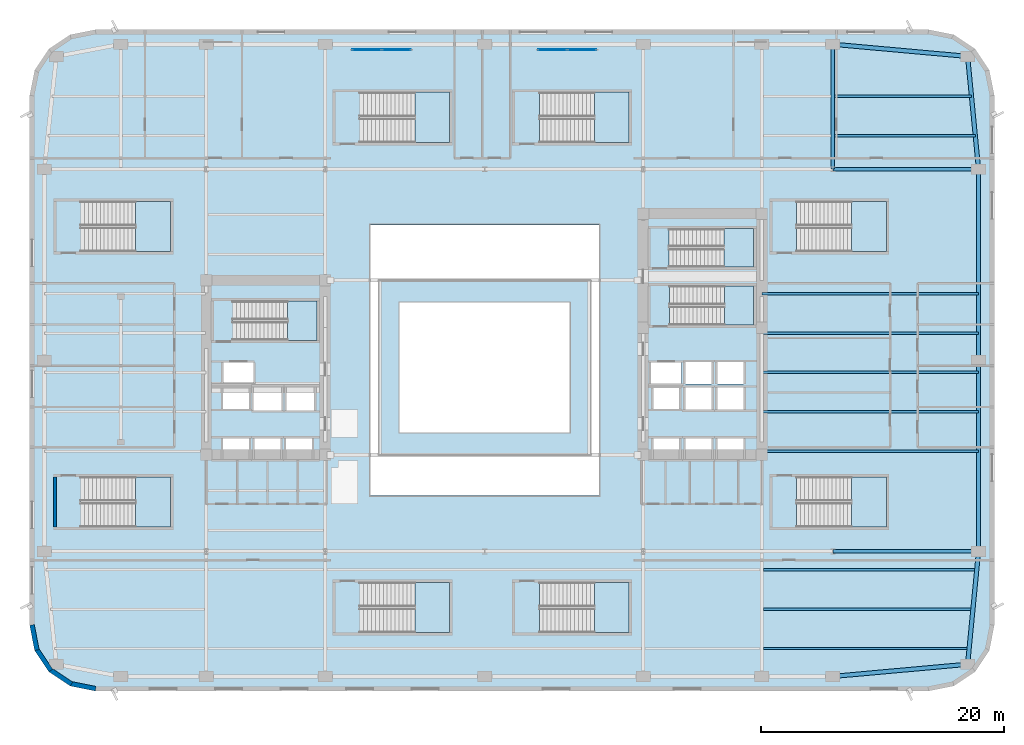
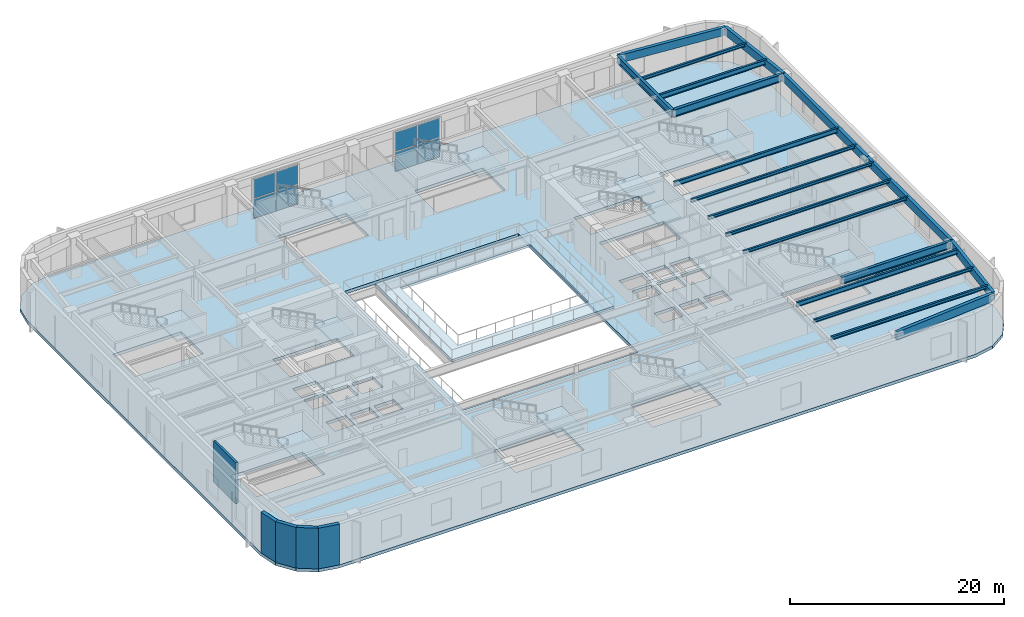
# One storey, part 4 of 21: 19 beams, 13 slabs, 8 plates, 5 walls, 13 elements without a shape of their own.
"""IFC4 building model written with IfcOpenShell, lengths in metres."""

from ifc_helpers import new_model, si_unit, direction, frame, frame_2d, origin, origin_2d, place, context, subcontext, project, spatial, polyline, rectangle, hollow_rectangle, i_section, outline, extrude, material, layer, layer_set, material_profile, profile_set, type_object, element, aggregate, save


model = new_model("IFC4")

# Units and contexts
model_context = context("Model", 3, precision=1e-05, world=origin(), true_north=direction((0.0, 1.0)))
body_context = subcontext(model_context, "Body", "Model", "MODEL_VIEW")
ifc_project = project(units=[si_unit("LENGTHUNIT", "METRE"), si_unit("AREAUNIT", "SQUARE_METRE"), si_unit("VOLUMEUNIT", "CUBIC_METRE"), si_unit("PLANEANGLEUNIT", "RADIAN"), si_unit("MASSUNIT", "GRAM", prefix="KILO")], contexts=[model_context])

# Site, building, storey
site_placement = place(None, origin())
site = spatial("IfcSite", under=ifc_project, at=site_placement, CompositionType="ELEMENT")
building_placement = place(site_placement, origin())
building = spatial("IfcBuilding", under=site, at=building_placement, Name="Kolvaren Arena Tower", CompositionType="ELEMENT")
storey_placement = place(building_placement, frame((0.0, 0.0, 18.0)))
storey = spatial("IfcBuildingStorey", under=building, at=storey_placement, Name="L03", CompositionType="ELEMENT", Elevation=18.0)

# Beams
ifc_material_1 = material(Name="Steel CSA G40.21 350W", Category="steel")
ifc_material_profile_1 = material_profile(ifc_material_1, i_section(OverallWidth=0.2119140625, OverallDepth=0.54296875, WebThickness=0.01318359375, FlangeThickness=0.0244140625, FilletRadius=0.013916015625, at=origin_2d()), Name="W530x150")
ifc_profile_set_1 = profile_set([ifc_material_profile_1], Name="Steel CSA G40.21 350W")
beam_type_1 = type_object("IfcBeamType", Name="BEAM-F1", PredefinedType="BEAM", material=ifc_profile_set_1)
beam_1_placement = place(storey_placement, frame((60.49609375, 10.0, 4.37841796875), z_axis=(1.0, 0.0, 0.0), x_axis=(0.0, 1.0, 0.0)))
element("IfcBeam", 1, at=beam_1_placement, inside=storey, type_object=beam_type_1, Name="Composite Floor Beam (L03)", PredefinedType="BEAM", context=body_context, shape_type="SweptSolid", body=[
    extrude(i_section(OverallWidth=0.2119140625, OverallDepth=0.54296875, WebThickness=0.01318359375, FlangeThickness=0.0244140625, FilletRadius=0.013916015625, at=origin_2d()), origin(), (0.0, 0.0, 1.0), 17.55859375),
])
beam_2_placement = place(storey_placement, frame((60.3701171875, 32.75, 4.37841796875), z_axis=(1.0, 0.0, 0.0), x_axis=(0.0, 1.0, 0.0)))
element("IfcBeam", 2, at=beam_2_placement, inside=storey, type_object=beam_type_1, Name="Composite Floor Beam (L03)", PredefinedType="BEAM", context=body_context, shape_type="SweptSolid", body=[
    extrude(i_section(OverallWidth=0.2119140625, OverallDepth=0.54296875, WebThickness=0.01318359375, FlangeThickness=0.0244140625, FilletRadius=0.013916015625, at=origin_2d()), origin(), (0.0, 0.0, 1.0), 17.829833984375),
])
beam_3_placement = place(storey_placement, frame((66.345947265625, 45.75, 4.37841796875), z_axis=(1.0, 0.0, 0.0), x_axis=(0.0, 1.0, 0.0)))
element("IfcBeam", 3, at=beam_3_placement, inside=storey, type_object=beam_type_1, Name="Composite Floor Beam (L03)", PredefinedType="BEAM", context=body_context, shape_type="SweptSolid", body=[
    extrude(i_section(OverallWidth=0.2119140625, OverallDepth=0.54296875, WebThickness=0.01318359375, FlangeThickness=0.0244140625, FilletRadius=0.013916015625, at=origin_2d()), origin(), (0.0, 0.0, 1.0), 11.587890625),
])
ifc_material_profile_2 = material_profile(ifc_material_1, i_section(OverallWidth=0.2919921875, OverallDepth=0.85498046875, WebThickness=0.02099609375, FlangeThickness=0.03564453125, FilletRadius=0.01806640625, at=origin_2d()), Name="W840x299")
ifc_profile_set_2 = profile_set([ifc_material_profile_2], Name="Steel CSA G40.21 350W")
beam_type_2 = type_object("IfcBeamType", Name="GIRD-P1", PredefinedType="BEAM", material=ifc_profile_set_2)
for number, where, z_axis, x_axis, name in (
    (4, (66.199951171875, 11.5, 4.222412109375), (1.0, 0.0, 0.0), (0.0, 1.0, 0.0), "Primary Floor Girder (L03)"),
    (5, (66.199951171875, 43.0, 4.222412109375), (1.0, 0.0, 0.0), (0.0, 1.0, 0.0), "Primary Floor Girder (L03)"),
):
    element("IfcBeam", number, at=place(storey_placement, frame(where, z_axis=z_axis, x_axis=x_axis)), inside=storey, type_object=beam_type_2, Name=name, PredefinedType="BEAM", context=body_context, shape_type="SweptSolid", body=[
        extrude(i_section(OverallWidth=0.2919921875, OverallDepth=0.85498046875, WebThickness=0.02099609375, FlangeThickness=0.03564453125, FilletRadius=0.01806640625, at=origin_2d()), origin(), (0.0, 0.0, 1.0), 12.0),
    ])
beam_4_placement = place(storey_placement, frame((66.199951171875, 43.0, 4.222412109375), z_axis=(0.0, 1.0, 0.0), x_axis=(-1.0, 0.0, 0.0)))
element("IfcBeam", 6, at=beam_4_placement, inside=storey, type_object=beam_type_2, Name="Primary Floor Girder (L03)", PredefinedType="BEAM", context=body_context, shape_type="SweptSolid", body=[
    extrude(i_section(OverallWidth=0.2919921875, OverallDepth=0.85498046875, WebThickness=0.02099609375, FlangeThickness=0.03564453125, FilletRadius=0.01806640625, at=origin_2d()), origin(), (0.0, 0.0, 1.0), 10.300048828125),
])
ifc_material_profile_3 = material_profile(ifc_material_1, i_section(OverallWidth=0.202880859375, OverallDepth=0.346923828125, WebThickness=0.0078125, FlangeThickness=0.013427734375, FilletRadius=0.010986328125, at=origin_2d()), Name="W360x64")
ifc_profile_set_3 = profile_set([ifc_material_profile_3], Name="Steel CSA G40.21 350W")
beam_type_3 = type_object("IfcBeamType", Name="JOIST-01", PredefinedType="JOIST", material=ifc_profile_set_3)
beam_5_placement = place(storey_placement, frame((60.49609375, 3.5, 4.4765625), z_axis=(1.0, 0.0, 0.0), x_axis=(0.0, 1.0, 0.0)))
element("IfcBeam", 7, at=beam_5_placement, inside=storey, type_object=beam_type_3, Name="Composite Floor Joist (L03)", PredefinedType="JOIST", context=body_context, shape_type="SweptSolid", body=[
    extrude(i_section(OverallWidth=0.202880859375, OverallDepth=0.346923828125, WebThickness=0.0078125, FlangeThickness=0.013427734375, FilletRadius=0.010986328125, at=origin_2d()), origin(), (0.0, 0.0, 1.0), 16.9296875),
])
beam_6_placement = place(storey_placement, frame((60.49609375, 6.75, 4.4765625), z_axis=(1.0, 0.0, 0.0), x_axis=(0.0, 1.0, 0.0)))
element("IfcBeam", 8, at=beam_6_placement, inside=storey, type_object=beam_type_3, Name="Composite Floor Joist (L03)", PredefinedType="JOIST", context=body_context, shape_type="SweptSolid", body=[
    extrude(i_section(OverallWidth=0.202880859375, OverallDepth=0.346923828125, WebThickness=0.0078125, FlangeThickness=0.013427734375, FilletRadius=0.010986328125, at=origin_2d()), origin(), (0.0, 0.0, 1.0), 17.244140625),
])
for number, where, z_axis, x_axis, name in (
    (9, (60.3701171875, 19.75, 4.4765625), (1.0, 0.0, 0.0), (0.0, 1.0, 0.0), "Composite Floor Joist (L03)"),
    (10, (60.3701171875, 23.0, 4.4765625), (1.0, 0.0, 0.0), (0.0, 1.0, 0.0), "Composite Floor Joist (L03)"),
    (11, (60.3701171875, 26.25, 4.4765625), (1.0, 0.0, 0.0), (0.0, 1.0, 0.0), "Composite Floor Joist (L03)"),
    (12, (60.3701171875, 29.5, 4.4765625), (1.0, 0.0, 0.0), (0.0, 1.0, 0.0), "Composite Floor Joist (L03)"),
):
    element("IfcBeam", number, at=place(storey_placement, frame(where, z_axis=z_axis, x_axis=x_axis)), inside=storey, type_object=beam_type_3, Name=name, PredefinedType="JOIST", context=body_context, shape_type="SweptSolid", body=[
        extrude(i_section(OverallWidth=0.202880859375, OverallDepth=0.346923828125, WebThickness=0.0078125, FlangeThickness=0.013427734375, FilletRadius=0.010986328125, at=origin_2d()), origin(), (0.0, 0.0, 1.0), 17.829833984375),
    ])
beam_7_placement = place(storey_placement, frame((66.345947265625, 49.0, 4.4765625), z_axis=(1.0, 0.0, 0.0), x_axis=(0.0, 1.0, 0.0)))
element("IfcBeam", 13, at=beam_7_placement, inside=storey, type_object=beam_type_3, Name="Composite Floor Joist (L03)", PredefinedType="JOIST", context=body_context, shape_type="SweptSolid", body=[
    extrude(i_section(OverallWidth=0.202880859375, OverallDepth=0.346923828125, WebThickness=0.0078125, FlangeThickness=0.013427734375, FilletRadius=0.010986328125, at=origin_2d()), origin(), (0.0, 0.0, 1.0), 11.2734375),
])
ifc_material_2 = material(Name="Steel CSA G40.21 350WT", Category="steel")
ifc_material_profile_4 = material_profile(ifc_material_2, hollow_rectangle(XDim=0.35009765625, YDim=0.89990234375, WallThickness=0.02001953125, at=origin_2d()), Name="HSS 900x350x20")
ifc_profile_set_4 = profile_set([ifc_material_profile_4], Name="Steel CSA G40.21 350WT")
beam_type_4 = type_object("IfcBeamType", Name="SPAND-01", PredefinedType="SPANDREL", material=ifc_profile_set_4)
beam_8_placement = place(storey_placement, frame((66.199951171875, 1.199951171875, 4.199951171875), z_axis=(0.995966494892, 0.089725921855, 0.0), x_axis=(-0.089725921855, 0.995966494892, 0.0)))
element("IfcBeam", 14, at=beam_8_placement, inside=storey, type_object=beam_type_4, Name="Perimeter Spandrel Beam (L03)", PredefinedType="SPANDREL", context=body_context, shape_type="SweptSolid", body=[
    extrude(hollow_rectangle(XDim=0.35009765625, YDim=0.89990234375, WallThickness=0.02001953125, at=origin_2d()), origin(), (0.0, 0.0, 1.0), 11.14501953125),
])
beam_9_placement = place(storey_placement, frame((77.300048828125, 2.199951171875, 4.199951171875), z_axis=(0.09631333899, 0.995351064064, 0.0), x_axis=(-0.995351064064, 0.09631333899, 0.0)))
element("IfcBeam", 15, at=beam_9_placement, inside=storey, type_object=beam_type_4, Name="Perimeter Spandrel Beam (L03)", PredefinedType="SPANDREL", context=body_context, shape_type="SweptSolid", body=[
    extrude(hollow_rectangle(XDim=0.35009765625, YDim=0.89990234375, WallThickness=0.02001953125, at=origin_2d()), origin(), (0.0, 0.0, 1.0), 9.343505859375),
])
for number, where, z_axis, x_axis, name in (
    (16, (78.199951171875, 11.5, 4.199951171875), (0.0, 1.0, 0.0), (-1.0, 0.0, 0.0), "Perimeter Spandrel Beam (L03)"),
    (17, (78.199951171875, 27.25, 4.199951171875), (0.0, 1.0, 0.0), (-1.0, 0.0, 0.0), "Perimeter Spandrel Beam (L03)"),
):
    element("IfcBeam", number, at=place(storey_placement, frame(where, z_axis=z_axis, x_axis=x_axis)), inside=storey, type_object=beam_type_4, Name=name, PredefinedType="SPANDREL", context=body_context, shape_type="SweptSolid", body=[
        extrude(hollow_rectangle(XDim=0.35009765625, YDim=0.89990234375, WallThickness=0.02001953125, at=origin_2d()), origin(), (0.0, 0.0, 1.0), 15.75),
    ])
beam_10_placement = place(storey_placement, frame((78.199951171875, 43.0, 4.199951171875), z_axis=(-0.09631333899, 0.995351064064, 0.0), x_axis=(-0.995351064064, -0.09631333899, 0.0)))
element("IfcBeam", 18, at=beam_10_placement, inside=storey, type_object=beam_type_4, Name="Perimeter Spandrel Beam (L03)", PredefinedType="SPANDREL", context=body_context, shape_type="SweptSolid", body=[
    extrude(hollow_rectangle(XDim=0.35009765625, YDim=0.89990234375, WallThickness=0.02001953125, at=origin_2d()), origin(), (0.0, 0.0, 1.0), 9.343505859375),
])
beam_11_placement = place(storey_placement, frame((77.300048828125, 52.300048828125, 4.199951171875), z_axis=(-0.995966494892, 0.089725921855, 0.0), x_axis=(-0.089725921855, -0.995966494892, 0.0)))
element("IfcBeam", 19, at=beam_11_placement, inside=storey, type_object=beam_type_4, Name="Perimeter Spandrel Beam (L03)", PredefinedType="SPANDREL", context=body_context, shape_type="SweptSolid", body=[
    extrude(hollow_rectangle(XDim=0.35009765625, YDim=0.89990234375, WallThickness=0.02001953125, at=origin_2d()), origin(), (0.0, 0.0, 1.0), 11.14501953125),
])

# Curtain wall, plates
ifc_material_3 = material(Name="Anodised aluminium unitised curtain wall", Category="aluminium")
curtain_wall_type = type_object("IfcCurtainWallType", Name="CW-SYS-02", PredefinedType="USERDEFINED", material=ifc_material_3)
curtain_wall_1_placement = place(storey_placement, origin())
curtain_wall_1 = element("IfcCurtainWall", 20, at=curtain_wall_1_placement, inside=storey, type_object=curtain_wall_type, Name="Arena Concourse Grand Portal Curtain Wall (L03)", ObjectType="UNITISED CURTAIN WALL", PredefinedType="USERDEFINED")
ifc_material_4 = material(Name="Laminated acoustic low-E glazing unit", Category="glass")
ifc_layer_1 = layer(ifc_material_4, 0.052001953125)
ifc_layer_set_1 = layer_set([ifc_layer_1], Name="Laminated acoustic low-E glazing unit")
plate_type = type_object("IfcPlateType", Name="CWP-VIS2", PredefinedType="CURTAIN_PANEL", material=ifc_layer_set_1)
plate_1_placement = place(storey_placement, frame((27.77490234375, 52.85009765625, 0.10009765625), z_axis=(0.0, 0.0, 1.0), x_axis=(1.0, 0.0, 0.0)))
plate_1 = element("IfcPlate", 21, at=plate_1_placement, type_object=plate_type, Name="CW2 panel 1.1", PredefinedType="CURTAIN_PANEL", context=body_context, shape_type="SweptSolid", body=[
    extrude(rectangle(XDim=2.35009765625, YDim=0.052001953125, at=origin_2d()), origin(), (0.0, 0.0, 1.0), 2.175048828125),
])
plate_2_placement = place(storey_placement, frame((27.77490234375, 52.85009765625, 2.375), z_axis=(0.0, 0.0, 1.0), x_axis=(1.0, 0.0, 0.0)))
plate_2 = element("IfcPlate", 22, at=plate_2_placement, type_object=plate_type, Name="CW2 panel 1.2", PredefinedType="CURTAIN_PANEL", context=body_context, shape_type="SweptSolid", body=[
    extrude(rectangle(XDim=2.35009765625, YDim=0.052001953125, at=origin_2d()), origin(), (0.0, 0.0, 1.0), 2.175048828125),
])
plate_3_placement = place(storey_placement, frame((30.22509765625, 52.85009765625, 0.10009765625), z_axis=(0.0, 0.0, 1.0), x_axis=(1.0, 0.0, 0.0)))
plate_3 = element("IfcPlate", 23, at=plate_3_placement, type_object=plate_type, Name="CW2 panel 2.1", PredefinedType="CURTAIN_PANEL", context=body_context, shape_type="SweptSolid", body=[
    extrude(rectangle(XDim=2.35009765625, YDim=0.052001953125, at=origin_2d()), origin(), (0.0, 0.0, 1.0), 2.175048828125),
])
plate_4_placement = place(storey_placement, frame((30.22509765625, 52.85009765625, 2.375), z_axis=(0.0, 0.0, 1.0), x_axis=(1.0, 0.0, 0.0)))
plate_4 = element("IfcPlate", 24, at=plate_4_placement, type_object=plate_type, Name="CW2 panel 2.2", PredefinedType="CURTAIN_PANEL", context=body_context, shape_type="SweptSolid", body=[
    extrude(rectangle(XDim=2.35009765625, YDim=0.052001953125, at=origin_2d()), origin(), (0.0, 0.0, 1.0), 2.175048828125),
])
aggregate(curtain_wall_1, [plate_1, plate_2, plate_3, plate_4])

curtain_wall_2_placement = place(storey_placement, origin())
curtain_wall_2 = element("IfcCurtainWall", 25, at=curtain_wall_2_placement, inside=storey, type_object=curtain_wall_type, Name="Arena Concourse Grand Portal Curtain Wall (L03)", ObjectType="UNITISED CURTAIN WALL", PredefinedType="USERDEFINED")
plate_5_placement = place(storey_placement, frame((43.074951171875, 52.85009765625, 0.10009765625), z_axis=(0.0, 0.0, 1.0), x_axis=(1.0, 0.0, 0.0)))
plate_5 = element("IfcPlate", 26, at=plate_5_placement, type_object=plate_type, Name="CW2 panel 1.1", PredefinedType="CURTAIN_PANEL", context=body_context, shape_type="SweptSolid", body=[
    extrude(rectangle(XDim=2.35009765625, YDim=0.052001953125, at=origin_2d()), origin(), (0.0, 0.0, 1.0), 2.175048828125),
])
plate_6_placement = place(storey_placement, frame((43.074951171875, 52.85009765625, 2.375), z_axis=(0.0, 0.0, 1.0), x_axis=(1.0, 0.0, 0.0)))
plate_6 = element("IfcPlate", 27, at=plate_6_placement, type_object=plate_type, Name="CW2 panel 1.2", PredefinedType="CURTAIN_PANEL", context=body_context, shape_type="SweptSolid", body=[
    extrude(rectangle(XDim=2.35009765625, YDim=0.052001953125, at=origin_2d()), origin(), (0.0, 0.0, 1.0), 2.175048828125),
])
plate_7_placement = place(storey_placement, frame((45.52490234375, 52.85009765625, 0.10009765625), z_axis=(0.0, 0.0, 1.0), x_axis=(1.0, 0.0, 0.0)))
plate_7 = element("IfcPlate", 28, at=plate_7_placement, type_object=plate_type, Name="CW2 panel 2.1", PredefinedType="CURTAIN_PANEL", context=body_context, shape_type="SweptSolid", body=[
    extrude(rectangle(XDim=2.35009765625, YDim=0.052001953125, at=origin_2d()), origin(), (0.0, 0.0, 1.0), 2.175048828125),
])
plate_8_placement = place(storey_placement, frame((45.52490234375, 52.85009765625, 2.375), z_axis=(0.0, 0.0, 1.0), x_axis=(1.0, 0.0, 0.0)))
plate_8 = element("IfcPlate", 29, at=plate_8_placement, type_object=plate_type, Name="CW2 panel 2.2", PredefinedType="CURTAIN_PANEL", context=body_context, shape_type="SweptSolid", body=[
    extrude(rectangle(XDim=2.35009765625, YDim=0.052001953125, at=origin_2d()), origin(), (0.0, 0.0, 1.0), 2.175048828125),
])
aggregate(curtain_wall_2, [plate_5, plate_6, plate_7, plate_8])

# Slabs
ifc_material_5 = material(Name="Concrete 50 MPa", Category="concrete")
ifc_layer_2 = layer(ifc_material_5, 0.35009765625)
ifc_layer_set_2 = layer_set([ifc_layer_2], Name="Concrete 50 MPa")
slab_type_1 = type_object("IfcSlabType", Name="SLAB-ARENA", PredefinedType="FLOOR", material=ifc_layer_set_2)
slab_1_placement = place(storey_placement, frame((0.0, 0.0, -0.35009765625)))
element("IfcSlab", 30, at=slab_1_placement, inside=storey, type_object=slab_type_1, Name="L03 Primary Structural Slab", PredefinedType="FLOOR", context=body_context, shape_type="SweptSolid", body=[
    extrude(outline(polyline([(74.10009765625, 0.0), (76.16650390625, 0.4111328125), (77.91845703125, 1.58154296875), (79.0888671875, 3.33349609375), (79.5, 5.39990234375), (79.5, 49.10009765625), (79.0888671875, 51.16650390625), (77.91845703125, 52.91845703125), (76.16650390625, 54.0888671875), (74.10009765625, 54.5), (5.39990234375, 54.5), (3.33349609375, 54.0888671875), (1.58154296875, 52.91845703125), (0.4111328125, 51.16650390625), (0.0, 49.10009765625), (0.0, 5.39990234375), (0.4111328125, 3.33349609375), (1.58154296875, 1.58154296875), (3.33349609375, 0.4111328125), (5.39990234375, 0.0), (74.10009765625, 0.0)]), holes=[polyline([(27.215087890625, 4.800048828125), (27.215087890625, 8.949951171875), (34.60009765625, 8.949951171875), (34.60009765625, 4.800048828125), (27.215087890625, 4.800048828125)]), polyline([(42.014892578125, 4.800048828125), (42.014892578125, 8.949951171875), (49.39990234375, 8.949951171875), (49.39990234375, 4.800048828125), (42.014892578125, 4.800048828125)]), polyline([(4.215087890625, 17.64990234375), (11.60009765625, 17.64990234375), (11.60009765625, 13.5), (4.215087890625, 13.5), (4.215087890625, 17.64990234375)]), polyline([(63.215087890625, 17.64990234375), (70.60009765625, 17.64990234375), (70.60009765625, 13.5), (63.215087890625, 13.5), (63.215087890625, 17.64990234375)]), polyline([(28.10009765625, 38.39990234375), (46.89990234375, 38.39990234375), (46.89990234375, 16.10009765625), (28.10009765625, 16.10009765625), (28.10009765625, 38.39990234375)]), polyline([(15.93505859375, 20.81494140625), (18.06494140625, 20.81494140625), (18.06494140625, 19.0849609375), (15.93505859375, 19.0849609375), (15.93505859375, 20.81494140625)]), polyline([(18.534912109375, 20.81494140625), (20.6650390625, 20.81494140625), (20.6650390625, 19.0849609375), (18.534912109375, 19.0849609375), (18.534912109375, 20.81494140625)]), polyline([(21.135009765625, 20.81494140625), (23.264892578125, 20.81494140625), (23.264892578125, 19.0849609375), (21.135009765625, 19.0849609375), (21.135009765625, 20.81494140625)]), polyline([(51.39501953125, 20.81494140625), (53.52490234375, 20.81494140625), (53.52490234375, 19.0849609375), (51.39501953125, 19.0849609375), (51.39501953125, 20.81494140625)]), polyline([(54.054931640625, 20.81494140625), (56.18505859375, 20.81494140625), (56.18505859375, 19.0849609375), (54.054931640625, 19.0849609375), (54.054931640625, 20.81494140625)]), polyline([(56.695068359375, 20.81494140625), (58.824951171875, 20.81494140625), (58.824951171875, 19.0849609375), (56.695068359375, 19.0849609375), (56.695068359375, 20.81494140625)]), polyline([(18.4599609375, 25.06494140625), (20.739990234375, 25.06494140625), (20.739990234375, 23.135009765625), (18.4599609375, 23.135009765625), (18.4599609375, 25.06494140625)]), polyline([(21.159912109375, 23.135009765625), (21.159912109375, 25.06494140625), (23.43994140625, 25.06494140625), (23.43994140625, 23.135009765625), (21.159912109375, 23.135009765625)]), polyline([(54.030029296875, 25.014892578125), (56.2099609375, 25.014892578125), (56.2099609375, 23.18505859375), (54.030029296875, 23.18505859375), (54.030029296875, 25.014892578125)]), polyline([(56.669921875, 23.18505859375), (56.669921875, 25.014892578125), (58.85009765625, 25.014892578125), (58.85009765625, 23.18505859375), (56.669921875, 23.18505859375)]), polyline([(15.93505859375, 24.965087890625), (18.06494140625, 24.965087890625), (18.06494140625, 23.235107421875), (15.93505859375, 23.235107421875), (15.93505859375, 24.965087890625)]), polyline([(51.39501953125, 24.965087890625), (53.52490234375, 24.965087890625), (53.52490234375, 23.235107421875), (51.39501953125, 23.235107421875), (51.39501953125, 24.965087890625)]), polyline([(54.030029296875, 27.114990234375), (56.2099609375, 27.114990234375), (56.2099609375, 25.284912109375), (54.030029296875, 25.284912109375), (54.030029296875, 27.114990234375)]), polyline([(56.669921875, 27.114990234375), (58.85009765625, 27.114990234375), (58.85009765625, 25.284912109375), (56.669921875, 25.284912109375), (56.669921875, 27.114990234375)]), polyline([(15.9599609375, 27.06494140625), (18.43994140625, 27.06494140625), (18.43994140625, 25.3349609375), (15.9599609375, 25.3349609375), (15.9599609375, 27.06494140625)]), polyline([(51.219970703125, 27.06494140625), (53.699951171875, 27.06494140625), (53.699951171875, 25.3349609375), (51.219970703125, 25.3349609375), (51.219970703125, 27.06494140625)]), polyline([(16.735107421875, 32.1298828125), (23.659912109375, 32.1298828125), (23.659912109375, 28.89990234375), (16.735107421875, 28.89990234375), (16.735107421875, 32.1298828125)]), polyline([(52.735107421875, 33.3798828125), (59.659912109375, 33.3798828125), (59.659912109375, 30.14990234375), (52.735107421875, 30.14990234375), (52.735107421875, 33.3798828125)]), polyline([(52.695068359375, 38.10009765625), (59.659912109375, 38.10009765625), (59.659912109375, 34.949951171875), (52.695068359375, 34.949951171875), (52.695068359375, 38.10009765625)]), polyline([(4.215087890625, 40.35009765625), (11.60009765625, 40.35009765625), (11.60009765625, 36.199951171875), (4.215087890625, 36.199951171875), (4.215087890625, 40.35009765625)]), polyline([(63.215087890625, 40.35009765625), (70.60009765625, 40.35009765625), (70.60009765625, 36.199951171875), (63.215087890625, 36.199951171875), (63.215087890625, 40.35009765625)]), polyline([(27.215087890625, 49.35009765625), (34.60009765625, 49.35009765625), (34.60009765625, 45.199951171875), (27.215087890625, 45.199951171875), (27.215087890625, 49.35009765625)]), polyline([(42.014892578125, 49.35009765625), (49.39990234375, 49.35009765625), (49.39990234375, 45.199951171875), (42.014892578125, 45.199951171875), (42.014892578125, 49.35009765625)])]), origin(), (0.0, 0.0, 1.0), 0.35009765625),
])
ifc_material_6 = material(Name="Precast concrete C45/55", Category="concrete")
ifc_layer_3 = layer(ifc_material_6, 0.260009765625)
ifc_layer_set_3 = layer_set([ifc_layer_3], Name="Precast concrete C45/55")
slab_type_2 = type_object("IfcSlabType", Name="SLAB-BOWL", PredefinedType="LANDING", material=ifc_layer_set_3)
slab_2_placement = place(storey_placement, frame((0.0, 0.0, 3.18994140625)))
element("IfcSlab", 31, at=slab_2_placement, inside=storey, type_object=slab_type_2, Name="Arena Seating Bowl Tier 3 Precast Terrace", PredefinedType="LANDING", context=body_context, shape_type="SweptSolid", body=[
    extrude(outline(polyline([(28.75, 19.449951171875), (46.25, 19.449951171875), (46.25, 33.85009765625), (28.75, 33.85009765625), (28.75, 19.449951171875)]), holes=[polyline([(30.449951171875, 21.25), (44.550048828125, 21.25), (44.550048828125, 32.050048828125), (30.449951171875, 32.050048828125), (30.449951171875, 21.25)])]), origin(), (0.0, 0.0, 1.0), 0.260009765625),
])

# Stair, slab
ifc_material_7 = material(Name="Concrete 45 MPa", Category="concrete")
stair_type_1 = type_object("IfcStairType", Name="STAIR-CORE-165", PredefinedType="HALF_TURN_STAIR", material=ifc_material_7)
stair_1_placement = place(storey_placement, origin())
stair_1 = element("IfcStair", 32, at=stair_1_placement, inside=storey, type_object=stair_type_1, Name="L03 ST-W1", PredefinedType="HALF_TURN_STAIR")
ifc_layer_4 = layer(ifc_material_7, 0.199951171875)
ifc_layer_set_4 = layer_set([ifc_layer_4], Name="Concrete 45 MPa")
slab_type_3 = type_object("IfcSlabType", Name="SLAB-LAND", PredefinedType="LANDING", material=ifc_layer_set_4)
slab_3_placement = place(storey_placement, frame((0.0, 0.0, 2.300048828125)))
slab_3 = element("IfcSlab", 33, at=slab_3_placement, type_object=slab_type_3, Name="ST-W1 landing 1", PredefinedType="LANDING", context=body_context, shape_type="SweptSolid", body=[
    extrude(outline(polyline([(21.256103515625, 28.89990234375), (23.659912109375, 28.89990234375), (23.659912109375, 32.1298828125), (21.256103515625, 32.1298828125), (21.256103515625, 28.89990234375)])), origin(), (0.0, 0.0, 1.0), 0.199951171875),
])
aggregate(stair_1, [slab_3])

stair_2_placement = place(storey_placement, origin())
stair_2 = element("IfcStair", 34, at=stair_2_placement, inside=storey, type_object=stair_type_1, Name="L03 ST-E1", PredefinedType="HALF_TURN_STAIR")
slab_4_placement = place(storey_placement, frame((0.0, 0.0, 2.300048828125)))
slab_4 = element("IfcSlab", 35, at=slab_4_placement, type_object=slab_type_3, Name="ST-E1 landing 1", PredefinedType="LANDING", context=body_context, shape_type="SweptSolid", body=[
    extrude(outline(polyline([(57.256103515625, 30.14990234375), (59.659912109375, 30.14990234375), (59.659912109375, 33.3798828125), (57.256103515625, 33.3798828125), (57.256103515625, 30.14990234375)])), origin(), (0.0, 0.0, 1.0), 0.199951171875),
])
aggregate(stair_2, [slab_4])

stair_type_2 = type_object("IfcStairType", Name="STAIR-CORE-150", PredefinedType="HALF_TURN_STAIR", material=ifc_material_7)
stair_3_placement = place(storey_placement, origin())
stair_3 = element("IfcStair", 36, at=stair_3_placement, inside=storey, type_object=stair_type_2, Name="L03 ST-E2", PredefinedType="HALF_TURN_STAIR")
slab_5_placement = place(storey_placement, frame((0.0, 0.0, 2.300048828125)))
slab_5 = element("IfcSlab", 37, at=slab_5_placement, type_object=slab_type_3, Name="ST-E2 landing 1", PredefinedType="LANDING", context=body_context, shape_type="SweptSolid", body=[
    extrude(outline(polyline([(57.216064453125, 34.949951171875), (59.659912109375, 34.949951171875), (59.659912109375, 38.10009765625), (57.216064453125, 38.10009765625), (57.216064453125, 34.949951171875)])), origin(), (0.0, 0.0, 1.0), 0.199951171875),
])
aggregate(stair_3, [slab_5])

stair_type_3 = type_object("IfcStairType", Name="STAIR-ARENA-220", PredefinedType="HALF_TURN_STAIR", material=ifc_material_7)
stair_4_placement = place(storey_placement, origin())
stair_4 = element("IfcStair", 38, at=stair_4_placement, inside=storey, type_object=stair_type_3, Name="L03 ST-A1", PredefinedType="HALF_TURN_STAIR")
slab_6_placement = place(storey_placement, frame((0.0, 0.0, 2.300048828125)))
slab_6 = element("IfcSlab", 39, at=slab_6_placement, type_object=slab_type_3, Name="ST-A1 landing 1", PredefinedType="LANDING", context=body_context, shape_type="SweptSolid", body=[
    extrude(outline(polyline([(8.736083984375, 13.5), (11.60009765625, 13.5), (11.60009765625, 17.64990234375), (8.736083984375, 17.64990234375), (8.736083984375, 13.5)])), origin(), (0.0, 0.0, 1.0), 0.199951171875),
])
aggregate(stair_4, [slab_6])

stair_5_placement = place(storey_placement, origin())
stair_5 = element("IfcStair", 40, at=stair_5_placement, inside=storey, type_object=stair_type_3, Name="L03 ST-A2", PredefinedType="HALF_TURN_STAIR")
slab_7_placement = place(storey_placement, frame((0.0, 0.0, 2.300048828125)))
slab_7 = element("IfcSlab", 41, at=slab_7_placement, type_object=slab_type_3, Name="ST-A2 landing 1", PredefinedType="LANDING", context=body_context, shape_type="SweptSolid", body=[
    extrude(outline(polyline([(31.736083984375, 4.800048828125), (34.60009765625, 4.800048828125), (34.60009765625, 8.949951171875), (31.736083984375, 8.949951171875), (31.736083984375, 4.800048828125)])), origin(), (0.0, 0.0, 1.0), 0.199951171875),
])
aggregate(stair_5, [slab_7])

stair_6_placement = place(storey_placement, origin())
stair_6 = element("IfcStair", 42, at=stair_6_placement, inside=storey, type_object=stair_type_3, Name="L03 ST-A3", PredefinedType="HALF_TURN_STAIR")
slab_8_placement = place(storey_placement, frame((0.0, 0.0, 2.300048828125)))
slab_8 = element("IfcSlab", 43, at=slab_8_placement, type_object=slab_type_3, Name="ST-A3 landing 1", PredefinedType="LANDING", context=body_context, shape_type="SweptSolid", body=[
    extrude(outline(polyline([(46.535888671875, 4.800048828125), (49.39990234375, 4.800048828125), (49.39990234375, 8.949951171875), (46.535888671875, 8.949951171875), (46.535888671875, 4.800048828125)])), origin(), (0.0, 0.0, 1.0), 0.199951171875),
])
aggregate(stair_6, [slab_8])

stair_7_placement = place(storey_placement, origin())
stair_7 = element("IfcStair", 44, at=stair_7_placement, inside=storey, type_object=stair_type_3, Name="L03 ST-A4", PredefinedType="HALF_TURN_STAIR")
slab_9_placement = place(storey_placement, frame((0.0, 0.0, 2.300048828125)))
slab_9 = element("IfcSlab", 45, at=slab_9_placement, type_object=slab_type_3, Name="ST-A4 landing 1", PredefinedType="LANDING", context=body_context, shape_type="SweptSolid", body=[
    extrude(outline(polyline([(67.736083984375, 13.5), (70.60009765625, 13.5), (70.60009765625, 17.64990234375), (67.736083984375, 17.64990234375), (67.736083984375, 13.5)])), origin(), (0.0, 0.0, 1.0), 0.199951171875),
])
aggregate(stair_7, [slab_9])

stair_8_placement = place(storey_placement, origin())
stair_8 = element("IfcStair", 46, at=stair_8_placement, inside=storey, type_object=stair_type_3, Name="L03 ST-A5", PredefinedType="HALF_TURN_STAIR")
slab_10_placement = place(storey_placement, frame((0.0, 0.0, 2.300048828125)))
slab_10 = element("IfcSlab", 47, at=slab_10_placement, type_object=slab_type_3, Name="ST-A5 landing 1", PredefinedType="LANDING", context=body_context, shape_type="SweptSolid", body=[
    extrude(outline(polyline([(8.736083984375, 36.199951171875), (11.60009765625, 36.199951171875), (11.60009765625, 40.35009765625), (8.736083984375, 40.35009765625), (8.736083984375, 36.199951171875)])), origin(), (0.0, 0.0, 1.0), 0.199951171875),
])
aggregate(stair_8, [slab_10])

stair_9_placement = place(storey_placement, origin())
stair_9 = element("IfcStair", 48, at=stair_9_placement, inside=storey, type_object=stair_type_3, Name="L03 ST-A6", PredefinedType="HALF_TURN_STAIR")
slab_11_placement = place(storey_placement, frame((0.0, 0.0, 2.300048828125)))
slab_11 = element("IfcSlab", 49, at=slab_11_placement, type_object=slab_type_3, Name="ST-A6 landing 1", PredefinedType="LANDING", context=body_context, shape_type="SweptSolid", body=[
    extrude(outline(polyline([(31.736083984375, 45.199951171875), (34.60009765625, 45.199951171875), (34.60009765625, 49.35009765625), (31.736083984375, 49.35009765625), (31.736083984375, 45.199951171875)])), origin(), (0.0, 0.0, 1.0), 0.199951171875),
])
aggregate(stair_9, [slab_11])

stair_10_placement = place(storey_placement, origin())
stair_10 = element("IfcStair", 50, at=stair_10_placement, inside=storey, type_object=stair_type_3, Name="L03 ST-A7", PredefinedType="HALF_TURN_STAIR")
slab_12_placement = place(storey_placement, frame((0.0, 0.0, 2.300048828125)))
slab_12 = element("IfcSlab", 51, at=slab_12_placement, type_object=slab_type_3, Name="ST-A7 landing 1", PredefinedType="LANDING", context=body_context, shape_type="SweptSolid", body=[
    extrude(outline(polyline([(46.535888671875, 45.199951171875), (49.39990234375, 45.199951171875), (49.39990234375, 49.35009765625), (46.535888671875, 49.35009765625), (46.535888671875, 45.199951171875)])), origin(), (0.0, 0.0, 1.0), 0.199951171875),
])
aggregate(stair_10, [slab_12])

stair_11_placement = place(storey_placement, origin())
stair_11 = element("IfcStair", 52, at=stair_11_placement, inside=storey, type_object=stair_type_3, Name="L03 ST-A8", PredefinedType="HALF_TURN_STAIR")
slab_13_placement = place(storey_placement, frame((0.0, 0.0, 2.300048828125)))
slab_13 = element("IfcSlab", 53, at=slab_13_placement, type_object=slab_type_3, Name="ST-A8 landing 1", PredefinedType="LANDING", context=body_context, shape_type="SweptSolid", body=[
    extrude(outline(polyline([(67.736083984375, 36.199951171875), (70.60009765625, 36.199951171875), (70.60009765625, 40.35009765625), (67.736083984375, 40.35009765625), (67.736083984375, 36.199951171875)])), origin(), (0.0, 0.0, 1.0), 0.199951171875),
])
aggregate(stair_11, [slab_13])

# Walls
ifc_material_8 = material(Name="Precast concrete C50/60", Category="concrete")
ifc_layer_5 = layer(ifc_material_8, 0.3798828125)
ifc_layer_set_5 = layer_set([ifc_layer_5], Name="Precast concrete C50/60")
wall_type_1 = type_object("IfcWallType", Name="EXT-ARENA", PredefinedType="SOLIDWALL", material=ifc_layer_set_5)
for number, where, z_axis, x_axis, name in (
    (54, (0.597412109375, 3.37060546875, 0.0), (0.0, 0.0, 1.0), (-0.195135546048, 0.9807762837, 0.0), "Exterior Precast Masonry-Frame Wall (L03)"),
    (55, (1.739501953125, 1.687255859375, 0.0), (0.0, 0.0, 1.0), (-0.555502146192, 0.831515102434, 0.0), "Exterior Precast Masonry-Frame Wall (L03)"),
    (56, (3.439208984375, 0.569091796875, 0.0), (0.0, 0.0, 1.0), (-0.831515102434, 0.555502146192, 0.0), "Exterior Precast Masonry-Frame Wall (L03)"),
    (57, (5.43701171875, 0.186279296875, 0.0), (0.0, 0.0, 1.0), (-0.9807762837, 0.195135546048, 0.0), "Exterior Precast Masonry-Frame Wall (L03)"),
):
    element("IfcWall", number, at=place(storey_placement, frame(where, z_axis=z_axis, x_axis=x_axis)), inside=storey, type_object=wall_type_1, Name=name, PredefinedType="SOLIDWALL", context=body_context, shape_type="SweptSolid", body=[
        extrude(rectangle(XDim=2.10693359375, YDim=0.3798828125, at=frame_2d((1.053466796875, 0.0))), origin(), (0.0, 0.0, 1.0), 4.64990234375),
    ])
ifc_layer_6 = layer(ifc_material_7, 0.25)
ifc_layer_set_6 = layer_set([ifc_layer_6], Name="Concrete 45 MPa")
wall_type_2 = type_object("IfcWallType", Name="SHAFT-250", PredefinedType="SOLIDWALL", material=ifc_layer_set_6)
wall_placement = place(storey_placement, frame((2.080078125, 13.5, 0.0), z_axis=(0.0, 0.0, 1.0), x_axis=(0.0, 1.0, 0.0)))
element("IfcWall", 58, at=wall_placement, inside=storey, type_object=wall_type_2, Name="Stair ST-A1 West Shaft Wall (L03)", PredefinedType="SOLIDWALL", context=body_context, shape_type="SweptSolid", body=[
    extrude(rectangle(XDim=4.14990234375, YDim=0.239990234375, at=frame_2d((2.074951171875, 0.0))), origin(), (0.0, 0.0, 1.0), 4.64990234375),
])

save(model, "model.ifc")
